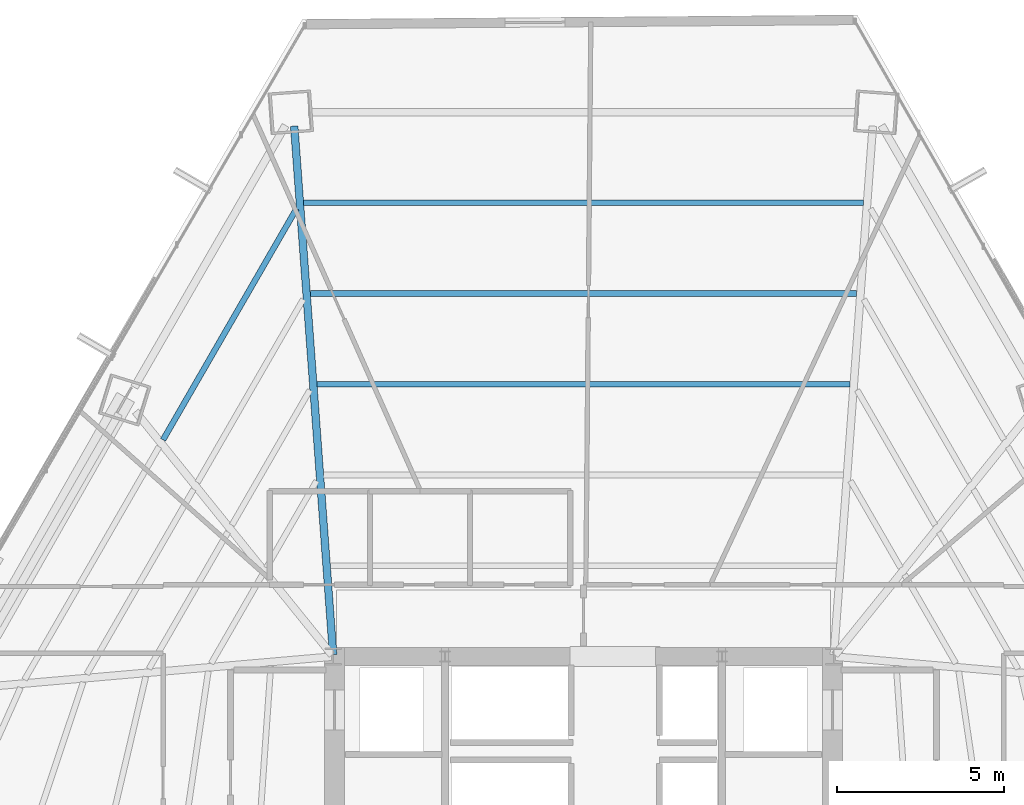
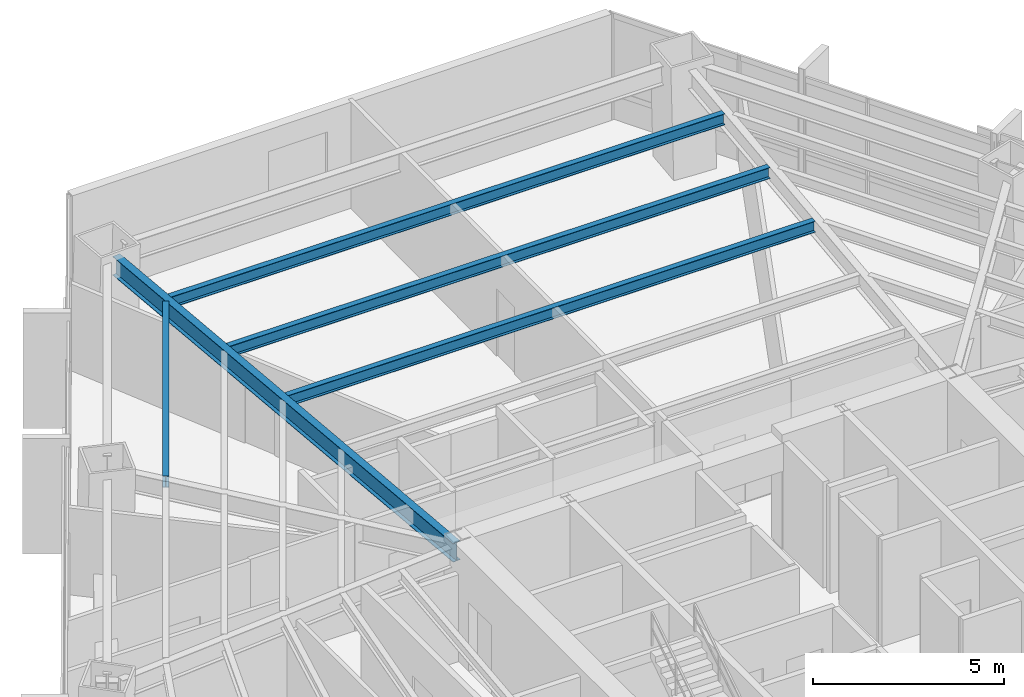
# One storey, part 24 of 34: 5 beams.
"""IFC4 building model written with IfcOpenShell, lengths in metres."""

from ifc_helpers import new_model, si_unit, direction, frame, origin, origin_2d, place, context, subcontext, project, spatial, i_section, extrude, source, transform, mapped, material, material_profile, profile_set, type_object, type_shapes, element, save


model = new_model("IFC4")

# Units and contexts
model_context = context("Model", 3, precision=1e-05, world=origin(), true_north=direction((0.0, 1.0)))
body_context = subcontext(model_context, "Body", "Model", "MODEL_VIEW")
ifc_project = project(units=[si_unit("LENGTHUNIT", "METRE"), si_unit("AREAUNIT", "SQUARE_METRE"), si_unit("VOLUMEUNIT", "CUBIC_METRE"), si_unit("PLANEANGLEUNIT", "RADIAN"), si_unit("MASSUNIT", "GRAM", prefix="KILO")], contexts=[model_context])

# Site, building, storey
site_placement = place(None, origin())
site = spatial("IfcSite", under=ifc_project, at=site_placement, CompositionType="ELEMENT")
building_placement = place(site_placement, origin())
building = spatial("IfcBuilding", under=site, at=building_placement, Name="Caelisora Broadcast Tower", CompositionType="ELEMENT")
storey_placement = place(building_placement, frame((0.0, 0.0, 49.5)))
storey = spatial("IfcBuildingStorey", under=building, at=storey_placement, Name="L12", CompositionType="ELEMENT", Elevation=49.5)

# Beams
ifc_material = material(Name="Steel Grade 350 (AS/NZS 3679.1)", Category="steel")
ifc_material_profile_1 = material_profile(ifc_material, i_section(OverallWidth=0.22802734375, OverallDepth=0.602294921875, WebThickness=0.010498046875, FlangeThickness=0.014892578125, at=origin_2d()), Name="Steel Grade 350 (AS/NZS 3679.1)")
ifc_profile_set_1 = profile_set([ifc_material_profile_1], Name="Steel Grade 350 (AS/NZS 3679.1)")
beam_type_1 = type_object("IfcBeamType", Name="PG04", PredefinedType="BEAM", material=ifc_profile_set_1)
shared_shape_1 = source(origin(), body_context, "Body", "SweptSolid", [
    extrude(i_section(OverallWidth=0.22802734375, OverallDepth=0.602294921875, WebThickness=0.010498046875, FlangeThickness=0.014892578125, at=origin_2d()), origin(), (0.0, 0.0, 1.0), 15.88134765625),
])
type_shapes(beam_type_1, [shared_shape_1])
beam_1_placement = place(storey_placement, frame((30.49560546875, 30.059814453125, 3.098876953125), z_axis=(-0.073420935528, 0.997301040923, 0.0), x_axis=(-0.997301040923, -0.073420935528, 0.0)))
element("IfcBeam", 1, at=beam_1_placement, inside=storey, type_object=beam_type_1, Name="L12 beam PG04", PredefinedType="BEAM", context=body_context, shape_type="MappedRepresentation", body=[
    mapped(shared_shape_1, transform((0.0, 0.0, 0.0), scale=1.0)),
])
ifc_material_profile_2 = material_profile(ifc_material, i_section(OverallWidth=0.172119140625, OverallDepth=0.358642578125, WebThickness=0.008056640625, FlangeThickness=0.012939453125, at=origin_2d()), Name="Steel Grade 350 (AS/NZS 3679.1)")
ifc_profile_set_2 = profile_set([ifc_material_profile_2], Name="Steel Grade 350 (AS/NZS 3679.1)")
beam_type_2 = type_object("IfcBeamType", Name="SB02", PredefinedType="JOIST", material=ifc_profile_set_2)
shared_shape_2 = source(origin(), body_context, "Body", "SweptSolid", [
    extrude(i_section(OverallWidth=0.172119140625, OverallDepth=0.358642578125, WebThickness=0.008056640625, FlangeThickness=0.012939453125, at=origin_2d()), origin(), (0.0, 0.0, 1.0), 15.978515625),
])
beam_2_placement = place(storey_placement, frame((45.9892578125, 38.158447265625, 3.220703125), z_axis=(-1.0, 0.0, 0.0), x_axis=(0.0, -1.0, 0.0)))
element("IfcBeam", 2, at=beam_2_placement, inside=storey, type_object=beam_type_2, Name="L12 beam SB02", PredefinedType="JOIST", context=body_context, shape_type="MappedRepresentation", body=[
    mapped(shared_shape_2, transform((0.0, 0.0, 0.0), scale=1.0)),
])
shared_shape_3 = source(origin(), body_context, "Body", "SweptSolid", [
    extrude(i_section(OverallWidth=0.172119140625, OverallDepth=0.358642578125, WebThickness=0.008056640625, FlangeThickness=0.012939453125, at=origin_2d()), origin(), (0.0, 0.0, 1.0), 16.37890625),
])
beam_3_placement = place(storey_placement, frame((46.189453125, 40.8779296875, 3.220703125), z_axis=(-1.0, 0.0, 0.0), x_axis=(0.0, -1.0, 0.0)))
element("IfcBeam", 3, at=beam_3_placement, inside=storey, type_object=beam_type_2, Name="L12 beam SB02", PredefinedType="JOIST", context=body_context, shape_type="MappedRepresentation", body=[
    mapped(shared_shape_3, transform((0.0, 0.0, 0.0), scale=1.0)),
])
shared_shape_4 = source(origin(), body_context, "Body", "SweptSolid", [
    extrude(i_section(OverallWidth=0.172119140625, OverallDepth=0.358642578125, WebThickness=0.008056640625, FlangeThickness=0.012939453125, at=origin_2d()), origin(), (0.0, 0.0, 1.0), 16.779296875),
])
beam_4_placement = place(storey_placement, frame((46.3896484375, 43.597412109375, 3.220703125), z_axis=(-1.0, 0.0, 0.0), x_axis=(0.0, -1.0, 0.0)))
element("IfcBeam", 4, at=beam_4_placement, inside=storey, type_object=beam_type_2, Name="L12 beam SB02", PredefinedType="JOIST", context=body_context, shape_type="MappedRepresentation", body=[
    mapped(shared_shape_4, transform((0.0, 0.0, 0.0), scale=1.0)),
])
shared_shape_5 = source(origin(), body_context, "Body", "SweptSolid", [
    extrude(i_section(OverallWidth=0.172119140625, OverallDepth=0.358642578125, WebThickness=0.008056640625, FlangeThickness=0.012939453125, at=origin_2d()), origin(), (0.0, 0.0, 1.0), 8.00146484375),
])
type_shapes(beam_type_2, [shared_shape_2, shared_shape_3, shared_shape_4, shared_shape_5])
beam_5_placement = place(storey_placement, frame((29.399169921875, 43.424560546875, 3.220703125), z_axis=(-0.500001540316, -0.866024514481, 0.0), x_axis=(0.866024514481, -0.500001540316, 0.0)))
element("IfcBeam", 5, at=beam_5_placement, inside=storey, type_object=beam_type_2, Name="L12 beam SB02", PredefinedType="JOIST", context=body_context, shape_type="MappedRepresentation", body=[
    mapped(shared_shape_5, transform((0.0, 0.0, 0.0), scale=1.0)),
])

save(model, "model.ifc")
